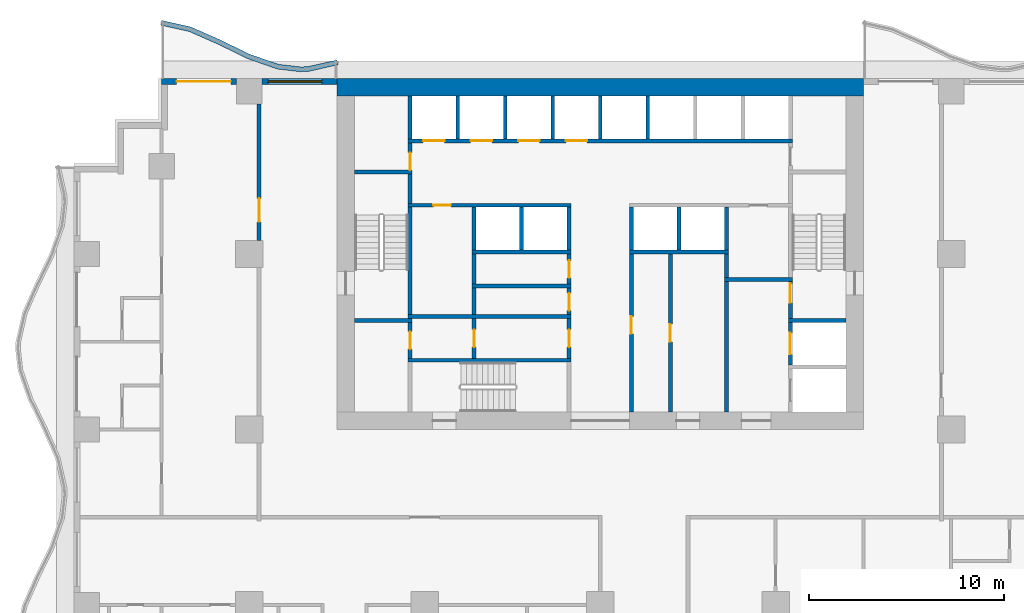
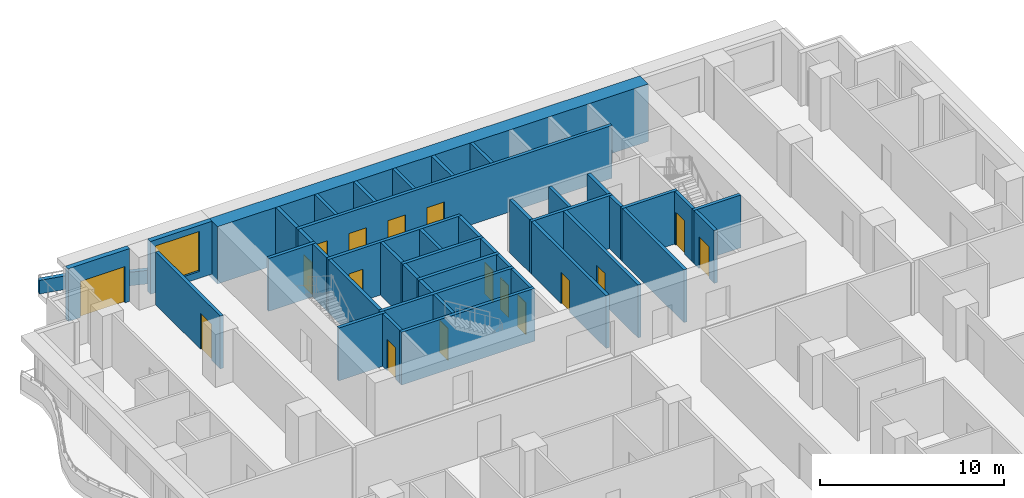
# One storey, part 5 of 13: 44 walls, 17 doors, 1 window, 18 openings.
"""IFC4 building model written with IfcOpenShell, lengths in metres."""

from ifc_helpers import new_model, si_unit, direction, frame, frame_2d, origin, place, context, subcontext, project, spatial, polyline, rectangle, outline, extrude, material, layer, layer_set, type_object, element, fill, save


model = new_model("IFC4")

# Units and contexts
model_context = context("Model", 3, precision=1e-05, world=origin(), true_north=direction((0.0, 1.0)))
body_context = subcontext(model_context, "Body", "Model", "MODEL_VIEW")
ifc_project = project(units=[si_unit("LENGTHUNIT", "METRE"), si_unit("AREAUNIT", "SQUARE_METRE"), si_unit("VOLUMEUNIT", "CUBIC_METRE"), si_unit("PLANEANGLEUNIT", "RADIAN"), si_unit("MASSUNIT", "GRAM", prefix="KILO")], contexts=[model_context])

# Site, building, storey
site_placement = place(None, origin())
site = spatial("IfcSite", under=ifc_project, at=site_placement, CompositionType="ELEMENT")
building_placement = place(site_placement, origin())
building = spatial("IfcBuilding", under=site, at=building_placement, Name="Orbiselva Terraces", CompositionType="ELEMENT")
storey_placement = place(building_placement, frame((0.0, 0.0, 96.0)))
storey = spatial("IfcBuildingStorey", under=building, at=storey_placement, Name="L24", CompositionType="ELEMENT", Elevation=96.0)

# Wall
ifc_material_1 = material(Name="Concrete C80/95", Category="concrete")
ifc_layer_1 = layer(ifc_material_1, 0.9)
ifc_layer_set_1 = layer_set([ifc_layer_1], Name="Concrete C80/95")
wall_type_1 = type_object("IfcWallType", Name="CORE WALL 900 EXTERNAL", PredefinedType="SHEAR", material=ifc_layer_set_1)
wall_1_placement = place(storey_placement, frame((13.5, 22.05, -0.3), z_axis=(0.0, 0.0, 1.0), x_axis=(-1.0, 0.0, 0.0)))
element("IfcWall", 1, at=wall_1_placement, inside=storey, type_object=wall_type_1, Name="Core wall L24 north", PredefinedType="SHEAR", context=body_context, shape_type="SweptSolid", body=[
    extrude(rectangle(XDim=27.0, YDim=0.9, at=frame_2d((13.5, 0.0))), origin(), (0.0, 0.0, 1.0), 3.8),
])

# Wall, opening, door
ifc_material_2 = material(Name="Masonry blockwork", Category="masonry")
ifc_layer_2 = layer(ifc_material_2, 0.2)
ifc_layer_set_2 = layer_set([ifc_layer_2], Name="Masonry blockwork")
wall_type_2 = type_object("IfcWallType", Name="CORE-WALL-PARTITION-200", PredefinedType="PARTITIONING", material=ifc_layer_set_2)
wall_2_placement = place(storey_placement, frame((-9.75, 8.15, 0.0), z_axis=(0.0, 0.0, 1.0), x_axis=(0.0, 1.0, 0.0)))
wall_2 = element("IfcWall", 2, at=wall_2_placement, inside=storey, type_object=wall_type_2, Name="L24 core wall 05", PredefinedType="PARTITIONING", context=body_context, shape_type="SweptSolid", body=[
    extrude(rectangle(XDim=1.85, YDim=0.2, at=frame_2d((0.925, 0.0))), origin(), (0.0, 0.0, 1.0), 3.5),
])
opening_1_placement = place(wall_2_placement, frame((0.475, 0.0, 0.0)))
opening_1 = element("IfcOpeningElement", 3, at=opening_1_placement, cuts=wall_2, Name="Opening DR900", PredefinedType="OPENING", context=body_context, shape_type="SweptSolid", body=[
    extrude(rectangle(XDim=0.9, YDim=2.1, at=frame_2d((0.45, 1.05))), frame((0.0, 0.11, 0.0), z_axis=(0.0, -1.0, 0.0), x_axis=(1.0, 0.0, 0.0)), (0.0, 0.0, 1.0), 0.22),
])
ifc_material_3 = material(Name="Steel fire door", Category="steel")
door_type_1 = type_object("IfcDoorType", Name="ROOM DOOR 900", OperationType="NOTDEFINED", PredefinedType="DOOR", material=ifc_material_3)
door_1_placement = place(opening_1_placement, origin())
door_1 = element("IfcDoor", 4, at=door_1_placement, inside=storey, type_object=door_type_1, Name="L24 ACCESSIBLE WC door", OperationType="SINGLE_SWING_RIGHT", OverallHeight=2.1, OverallWidth=0.9, PredefinedType="DOOR", context=body_context, shape_type="SweptSolid", body=[
    extrude(rectangle(XDim=0.9, YDim=2.1, at=frame_2d((0.45, 1.05))), frame((0.0, 0.025, 0.0), z_axis=(0.0, -1.0, 0.0), x_axis=(1.0, 0.0, 0.0)), (0.0, 0.0, 1.0), 0.05),
])
fill(opening_1, door_1)

wall_3_placement = place(storey_placement, frame((-9.75, 17.8, 0.0), z_axis=(0.0, 0.0, 1.0), x_axis=(0.0, 1.0, 0.0)))
wall_3 = element("IfcWall", 5, at=wall_3_placement, inside=storey, type_object=wall_type_2, Name="L24 core wall 10", PredefinedType="PARTITIONING", context=body_context, shape_type="SweptSolid", body=[
    extrude(rectangle(XDim=1.4, YDim=0.2, at=frame_2d((0.7, 0.0))), origin(), (0.0, 0.0, 1.0), 3.5),
])
opening_2_placement = place(wall_3_placement, origin())
opening_2 = element("IfcOpeningElement", 6, at=opening_2_placement, cuts=wall_3, Name="Opening DR900", PredefinedType="OPENING", context=body_context, shape_type="SweptSolid", body=[
    extrude(rectangle(XDim=0.9, YDim=2.1, at=frame_2d((0.45, 1.05))), frame((0.0, 0.11, 0.0), z_axis=(0.0, -1.0, 0.0), x_axis=(1.0, 0.0, 0.0)), (0.0, 0.0, 1.0), 0.22),
])
door_2_placement = place(opening_2_placement, origin())
door_2 = element("IfcDoor", 7, at=door_2_placement, inside=storey, type_object=door_type_1, Name="L24 COMMS RISER ROOM door", OperationType="SINGLE_SWING_LEFT", OverallHeight=2.1, OverallWidth=0.9, PredefinedType="DOOR", context=body_context, shape_type="SweptSolid", body=[
    extrude(rectangle(XDim=0.9, YDim=2.1, at=frame_2d((0.45, 1.05))), frame((0.0, 0.025, 0.0), z_axis=(0.0, -1.0, 0.0), x_axis=(1.0, 0.0, 0.0)), (0.0, 0.0, 1.0), 0.05),
])
fill(opening_2, door_2)

wall_4_placement = place(storey_placement, frame((-6.475, 8.15, 0.0), z_axis=(0.0, 0.0, 1.0), x_axis=(0.0, 1.0, 0.0)))
wall_4 = element("IfcWall", 8, at=wall_4_placement, inside=storey, type_object=wall_type_2, Name="L24 core wall 14", PredefinedType="PARTITIONING", context=body_context, shape_type="SweptSolid", body=[
    extrude(rectangle(XDim=2.05, YDim=0.2, at=frame_2d((1.025, 0.0))), origin(), (0.0, 0.0, 1.0), 3.5),
])
opening_3_placement = place(wall_4_placement, frame((0.575, 0.0, 0.0)))
opening_3 = element("IfcOpeningElement", 9, at=opening_3_placement, cuts=wall_4, Name="Opening DR900", PredefinedType="OPENING", context=body_context, shape_type="SweptSolid", body=[
    extrude(rectangle(XDim=0.9, YDim=2.1, at=frame_2d((0.45, 1.05))), frame((0.0, 0.11, 0.0), z_axis=(0.0, -1.0, 0.0), x_axis=(1.0, 0.0, 0.0)), (0.0, 0.0, 1.0), 0.22),
])
door_3_placement = place(opening_3_placement, origin())
door_3 = element("IfcDoor", 10, at=door_3_placement, inside=storey, type_object=door_type_1, Name="L24 CLEANERS STORE door", OperationType="SINGLE_SWING_RIGHT", OverallHeight=2.1, OverallWidth=0.9, PredefinedType="DOOR", context=body_context, shape_type="SweptSolid", body=[
    extrude(rectangle(XDim=0.9, YDim=2.1, at=frame_2d((0.45, 1.05))), frame((0.0, 0.025, 0.0), z_axis=(0.0, -1.0, 0.0), x_axis=(1.0, 0.0, 0.0)), (0.0, 0.0, 1.0), 0.05),
])
fill(opening_3, door_3)

# Walls
wall_5_placement = place(storey_placement, frame((-6.475, 10.4, 0.0), z_axis=(0.0, 0.0, 1.0), x_axis=(0.0, 1.0, 0.0)))
element("IfcWall", 11, at=wall_5_placement, inside=storey, type_object=wall_type_2, Name="L24 core wall 15", PredefinedType="PARTITIONING", context=body_context, shape_type="SweptSolid", body=[
    extrude(rectangle(XDim=1.35, YDim=0.2, at=frame_2d((0.675, 0.0))), origin(), (0.0, 0.0, 1.0), 3.5),
])
wall_6_placement = place(storey_placement, frame((-6.475, 11.95, 0.0), z_axis=(0.0, 0.0, 1.0), x_axis=(0.0, 1.0, 0.0)))
element("IfcWall", 12, at=wall_6_placement, inside=storey, type_object=wall_type_2, Name="L24 core wall 17", PredefinedType="PARTITIONING", context=body_context, shape_type="SweptSolid", body=[
    extrude(rectangle(XDim=1.55, YDim=0.2, at=frame_2d((0.775, 0.0))), origin(), (0.0, 0.0, 1.0), 3.5),
])

# Wall, opening, door
wall_7_placement = place(storey_placement, frame((-1.6, 8.15, 0.0), z_axis=(0.0, 0.0, 1.0), x_axis=(0.0, 1.0, 0.0)))
wall_7 = element("IfcWall", 13, at=wall_7_placement, inside=storey, type_object=wall_type_2, Name="L24 core wall 24", PredefinedType="PARTITIONING", context=body_context, shape_type="SweptSolid", body=[
    extrude(rectangle(XDim=2.05, YDim=0.2, at=frame_2d((1.025, 0.0))), origin(), (0.0, 0.0, 1.0), 3.5),
])
opening_4_placement = place(wall_7_placement, frame((0.575, 0.0, 0.0)))
opening_4 = element("IfcOpeningElement", 14, at=opening_4_placement, cuts=wall_7, Name="Opening DR900", PredefinedType="OPENING", context=body_context, shape_type="SweptSolid", body=[
    extrude(rectangle(XDim=0.9, YDim=2.1, at=frame_2d((0.45, 1.05))), frame((0.0, 0.11, 0.0), z_axis=(0.0, -1.0, 0.0), x_axis=(1.0, 0.0, 0.0)), (0.0, 0.0, 1.0), 0.22),
])
door_4_placement = place(opening_4_placement, origin())
door_4 = element("IfcDoor", 15, at=door_4_placement, inside=storey, type_object=door_type_1, Name="L24 COMMS ROOM door", OperationType="SINGLE_SWING_RIGHT", OverallHeight=2.1, OverallWidth=0.9, PredefinedType="DOOR", context=body_context, shape_type="SweptSolid", body=[
    extrude(rectangle(XDim=0.9, YDim=2.1, at=frame_2d((0.45, 1.05))), frame((0.0, 0.025, 0.0), z_axis=(0.0, -1.0, 0.0), x_axis=(1.0, 0.0, 0.0)), (0.0, 0.0, 1.0), 0.05),
])
fill(opening_4, door_4)

wall_8_placement = place(storey_placement, frame((-1.6, 10.4, 0.0), z_axis=(0.0, 0.0, 1.0), x_axis=(0.0, 1.0, 0.0)))
wall_8 = element("IfcWall", 16, at=wall_8_placement, inside=storey, type_object=wall_type_2, Name="L24 core wall 25", PredefinedType="PARTITIONING", context=body_context, shape_type="SweptSolid", body=[
    extrude(rectangle(XDim=1.35, YDim=0.2, at=frame_2d((0.675, 0.0))), origin(), (0.0, 0.0, 1.0), 3.5),
])
opening_5_placement = place(wall_8_placement, frame((0.2, 0.0, 0.0)))
opening_5 = element("IfcOpeningElement", 17, at=opening_5_placement, cuts=wall_8, Name="Opening DR900", PredefinedType="OPENING", context=body_context, shape_type="SweptSolid", body=[
    extrude(rectangle(XDim=0.9, YDim=2.1, at=frame_2d((0.45, 1.05))), frame((0.0, 0.11, 0.0), z_axis=(0.0, -1.0, 0.0), x_axis=(1.0, 0.0, 0.0)), (0.0, 0.0, 1.0), 0.22),
])
door_5_placement = place(opening_5_placement, origin())
door_5 = element("IfcDoor", 18, at=door_5_placement, inside=storey, type_object=door_type_1, Name="L24 BUILDING STORE door", OperationType="SINGLE_SWING_LEFT", OverallHeight=2.1, OverallWidth=0.9, PredefinedType="DOOR", context=body_context, shape_type="SweptSolid", body=[
    extrude(rectangle(XDim=0.9, YDim=2.1, at=frame_2d((0.45, 1.05))), frame((0.0, 0.025, 0.0), z_axis=(0.0, -1.0, 0.0), x_axis=(1.0, 0.0, 0.0)), (0.0, 0.0, 1.0), 0.05),
])
fill(opening_5, door_5)

wall_9_placement = place(storey_placement, frame((-1.6, 11.95, 0.0), z_axis=(0.0, 0.0, 1.0), x_axis=(0.0, 1.0, 0.0)))
wall_9 = element("IfcWall", 19, at=wall_9_placement, inside=storey, type_object=wall_type_2, Name="L24 core wall 26", PredefinedType="PARTITIONING", context=body_context, shape_type="SweptSolid", body=[
    extrude(rectangle(XDim=1.55, YDim=0.2, at=frame_2d((0.775, 0.0))), origin(), (0.0, 0.0, 1.0), 3.5),
])
opening_6_placement = place(wall_9_placement, frame((0.325, 0.0, 0.0)))
opening_6 = element("IfcOpeningElement", 20, at=opening_6_placement, cuts=wall_9, Name="Opening DR900", PredefinedType="OPENING", context=body_context, shape_type="SweptSolid", body=[
    extrude(rectangle(XDim=0.9, YDim=2.1, at=frame_2d((0.45, 1.05))), frame((0.0, 0.11, 0.0), z_axis=(0.0, -1.0, 0.0), x_axis=(1.0, 0.0, 0.0)), (0.0, 0.0, 1.0), 0.22),
])
door_6_placement = place(opening_6_placement, origin())
door_6 = element("IfcDoor", 21, at=door_6_placement, inside=storey, type_object=door_type_1, Name="L24 LINEN STORE door", OperationType="SINGLE_SWING_LEFT", OverallHeight=2.1, OverallWidth=0.9, PredefinedType="DOOR", context=body_context, shape_type="SweptSolid", body=[
    extrude(rectangle(XDim=0.9, YDim=2.1, at=frame_2d((0.45, 1.05))), frame((0.0, 0.025, 0.0), z_axis=(0.0, -1.0, 0.0), x_axis=(1.0, 0.0, 0.0)), (0.0, 0.0, 1.0), 0.05),
])
fill(opening_6, door_6)

wall_10_placement = place(storey_placement, frame((3.6, 13.5, 0.0), z_axis=(0.0, 0.0, 1.0), x_axis=(0.0, -1.0, 0.0)))
wall_10 = element("IfcWall", 22, at=wall_10_placement, inside=storey, type_object=wall_type_2, Name="L24 core wall 34", PredefinedType="PARTITIONING", context=body_context, shape_type="SweptSolid", body=[
    extrude(rectangle(XDim=8.1, YDim=0.2, at=frame_2d((4.05, 0.0))), origin(), (0.0, 0.0, 1.0), 3.5),
])
opening_7_placement = place(wall_10_placement, frame((3.6, 0.0, 0.0)))
opening_7 = element("IfcOpeningElement", 23, at=opening_7_placement, cuts=wall_10, Name="Opening DR900", PredefinedType="OPENING", context=body_context, shape_type="SweptSolid", body=[
    extrude(rectangle(XDim=0.9, YDim=2.1, at=frame_2d((0.45, 1.05))), frame((0.0, 0.11, 0.0), z_axis=(0.0, -1.0, 0.0), x_axis=(1.0, 0.0, 0.0)), (0.0, 0.0, 1.0), 0.22),
])
door_7_placement = place(opening_7_placement, origin())
door_7 = element("IfcDoor", 24, at=door_7_placement, inside=storey, type_object=door_type_1, Name="L24 SERVICE ROOM door", OperationType="SINGLE_SWING_RIGHT", OverallHeight=2.1, OverallWidth=0.9, PredefinedType="DOOR", context=body_context, shape_type="SweptSolid", body=[
    extrude(rectangle(XDim=0.9, YDim=2.1, at=frame_2d((0.45, 1.05))), frame((0.0, 0.025, 0.0), z_axis=(0.0, -1.0, 0.0), x_axis=(1.0, 0.0, 0.0)), (0.0, 0.0, 1.0), 0.05),
])
fill(opening_7, door_7)

# Walls
wall_11_placement = place(storey_placement, frame((6.475, 12.3, 0.0), z_axis=(0.0, 0.0, 1.0), x_axis=(0.0, 1.0, 0.0)))
element("IfcWall", 25, at=wall_11_placement, inside=storey, type_object=wall_type_2, Name="L24 core wall 39", PredefinedType="PARTITIONING", context=body_context, shape_type="SweptSolid", body=[
    extrude(rectangle(XDim=1.2, YDim=0.2, at=frame_2d((0.6, 0.0))), origin(), (0.0, 0.0, 1.0), 3.5),
])
ifc_material_4 = material(Name="Concrete C40/50", Category="concrete")
ifc_layer_3 = layer(ifc_material_4, 0.2)
ifc_layer_set_3 = layer_set([ifc_layer_3], Name="Concrete C40/50")
wall_type_3 = type_object("IfcWallType", Name="CORE-WALL-SHAFT-200", PredefinedType="PARTITIONING", material=ifc_layer_set_3)
for number, where, z_axis, x_axis, name in (
    (26, (-9.75, 19.4, 0.0), (0.0, 0.0, 1.0), (0.0, 1.0, 0.0), "L24 core wall 12"),
    (27, (-7.3125, 19.4, 0.0), (0.0, 0.0, 1.0), (0.0, 1.0, 0.0), "L24 core wall 13"),
    (28, (-6.475, 13.7, 0.0), (0.0, 0.0, 1.0), (0.0, 1.0, 0.0), "L24 core wall 19"),
    (29, (-4.875, 19.4, 0.0), (0.0, 0.0, 1.0), (0.0, 1.0, 0.0), "L24 core wall 20"),
    (30, (-4.0375, 13.7, 0.0), (0.0, 0.0, 1.0), (0.0, 1.0, 0.0), "L24 core wall 21"),
    (31, (-2.4375, 19.4, 0.0), (0.0, 0.0, 1.0), (0.0, 1.0, 0.0), "L24 core wall 22"),
    (32, (-1.6, 13.7, 0.0), (0.0, 0.0, 1.0), (0.0, 1.0, 0.0), "L24 core wall 27"),
    (33, (0.0, 19.4, 0.0), (0.0, 0.0, 1.0), (0.0, 1.0, 0.0), "L24 core wall 28"),
    (34, (1.6, 13.7, 0.0), (0.0, 0.0, 1.0), (0.0, 1.0, 0.0), "L24 core wall 31"),
    (35, (2.4375, 19.4, 0.0), (0.0, 0.0, 1.0), (0.0, 1.0, 0.0), "L24 core wall 33"),
    (36, (4.0375, 13.7, 0.0), (0.0, 0.0, 1.0), (0.0, 1.0, 0.0), "L24 core wall 35"),
    (37, (6.475, 13.7, 0.0), (0.0, 0.0, 1.0), (0.0, 1.0, 0.0), "L24 core wall 40"),
):
    element("IfcWall", number, at=place(storey_placement, frame(where, z_axis=z_axis, x_axis=x_axis)), inside=storey, type_object=wall_type_3, Name=name, PredefinedType="PARTITIONING", context=body_context, shape_type="SweptSolid", body=[
        extrude(rectangle(XDim=2.2, YDim=0.2, at=frame_2d((1.1, 0.0))), origin(), (0.0, 0.0, 1.0), 3.5),
    ])
ifc_material_5 = material(Name="Concrete C60/75", Category="concrete")
ifc_layer_4 = layer(ifc_material_5, 0.2)
ifc_layer_set_4 = layer_set([ifc_layer_4], Name="Concrete C60/75")
wall_type_4 = type_object("IfcWallType", Name="CORE-WALL-SHEAR-200", PredefinedType="SHEAR", material=ifc_layer_set_4)
for number, where, z_axis, x_axis, name in (
    (38, (-12.6, 10.1, 0.0), (0.0, 0.0, 1.0), (1.0, 0.0, 0.0), "L24 core wall 01"),
    (39, (-12.6, 17.7, 0.0), (0.0, 0.0, 1.0), (1.0, 0.0, 0.0), "L24 core wall 02"),
):
    element("IfcWall", number, at=place(storey_placement, frame(where, z_axis=z_axis, x_axis=x_axis)), inside=storey, type_object=wall_type_4, Name=name, PredefinedType="SHEAR", context=body_context, shape_type="SweptSolid", body=[
        extrude(rectangle(XDim=2.95, YDim=0.2, at=frame_2d((1.475, 0.0))), origin(), (0.0, 0.0, 1.0), 3.5),
    ])
for number, where, z_axis, x_axis, name in (
    (40, (-9.85, 8.05, 0.0), (0.0, 0.0, 1.0), (1.0, 0.0, 0.0), "L24 core wall 04"),
    (41, (-9.85, 10.3, 0.0), (0.0, 0.0, 1.0), (1.0, 0.0, 0.0), "L24 core wall 06"),
):
    element("IfcWall", number, at=place(storey_placement, frame(where, z_axis=z_axis, x_axis=x_axis)), inside=storey, type_object=wall_type_4, Name=name, PredefinedType="SHEAR", context=body_context, shape_type="SweptSolid", body=[
        extrude(rectangle(XDim=8.35, YDim=0.2, at=frame_2d((4.175, 0.0))), origin(), (0.0, 0.0, 1.0), 3.5),
    ])
wall_12_placement = place(storey_placement, frame((-9.75, 10.4, 0.0), z_axis=(0.0, 0.0, 1.0), x_axis=(0.0, 1.0, 0.0)))
element("IfcWall", 42, at=wall_12_placement, inside=storey, type_object=wall_type_4, Name="L24 core wall 07", PredefinedType="SHEAR", context=body_context, shape_type="SweptSolid", body=[
    extrude(rectangle(XDim=5.5, YDim=0.2, at=frame_2d((2.75, 0.0))), origin(), (0.0, 0.0, 1.0), 3.5),
])

# Wall, opening, door
wall_13_placement = place(storey_placement, frame((-1.5, 16.0, 0.0), z_axis=(0.0, 0.0, 1.0), x_axis=(-1.0, 0.0, 0.0)))
wall_13 = element("IfcWall", 43, at=wall_13_placement, inside=storey, type_object=wall_type_4, Name="L24 core wall 08", PredefinedType="SHEAR", context=body_context, shape_type="SweptSolid", body=[
    extrude(rectangle(XDim=8.35, YDim=0.2, at=frame_2d((4.175, 0.0))), origin(), (0.0, 0.0, 1.0), 3.5),
])
opening_8_placement = place(wall_13_placement, frame((6.1625, 0.0, 0.0)))
opening_8 = element("IfcOpeningElement", 44, at=opening_8_placement, cuts=wall_13, Name="Opening DR900", PredefinedType="OPENING", context=body_context, shape_type="SweptSolid", body=[
    extrude(rectangle(XDim=0.9, YDim=2.1, at=frame_2d((0.45, 1.05))), frame((0.0, 0.11, 0.0), z_axis=(0.0, -1.0, 0.0), x_axis=(1.0, 0.0, 0.0)), (0.0, 0.0, 1.0), 0.22),
])
door_8_placement = place(opening_8_placement, origin())
door_8 = element("IfcDoor", 45, at=door_8_placement, inside=storey, type_object=door_type_1, Name="L24 GUEST PANTRY door", OperationType="SINGLE_SWING_RIGHT", OverallHeight=2.1, OverallWidth=0.9, PredefinedType="DOOR", context=body_context, shape_type="SweptSolid", body=[
    extrude(rectangle(XDim=0.9, YDim=2.1, at=frame_2d((0.45, 1.05))), frame((0.0, 0.025, 0.0), z_axis=(0.0, -1.0, 0.0), x_axis=(1.0, 0.0, 0.0)), (0.0, 0.0, 1.0), 0.05),
])
fill(opening_8, door_8)

# Wall
wall_14_placement = place(storey_placement, frame((-9.75, 16.1, 0.0), z_axis=(0.0, 0.0, 1.0), x_axis=(0.0, 1.0, 0.0)))
element("IfcWall", 46, at=wall_14_placement, inside=storey, type_object=wall_type_4, Name="L24 core wall 09", PredefinedType="SHEAR", context=body_context, shape_type="SweptSolid", body=[
    extrude(rectangle(XDim=1.5, YDim=0.2, at=frame_2d((0.75, 0.0))), origin(), (0.0, 0.0, 1.0), 3.5),
])

# Wall, openings, doors
wall_15_placement = place(storey_placement, frame((-9.85, 19.3, 0.0), z_axis=(0.0, 0.0, 1.0), x_axis=(1.0, 0.0, 0.0)))
wall_15 = element("IfcWall", 47, at=wall_15_placement, inside=storey, type_object=wall_type_4, Name="L24 core wall 11", PredefinedType="SHEAR", context=body_context, shape_type="SweptSolid", body=[
    extrude(rectangle(XDim=19.7, YDim=0.2, at=frame_2d((9.85, 0.0))), origin(), (0.0, 0.0, 1.0), 3.5),
])
opening_9_placement = place(wall_15_placement, frame((0.76875, 0.0, 0.0)))
opening_9 = element("IfcOpeningElement", 48, at=opening_9_placement, cuts=wall_15, Name="Opening LD-LR1", PredefinedType="OPENING", context=body_context, shape_type="SweptSolid", body=[
    extrude(rectangle(XDim=1.1, YDim=2.1, at=frame_2d((0.55, 1.05))), frame((0.0, 0.11, 0.0), z_axis=(0.0, -1.0, 0.0), x_axis=(1.0, 0.0, 0.0)), (0.0, 0.0, 1.0), 0.22),
])
opening_10_placement = place(wall_15_placement, frame((3.20625, 0.0, 0.0)))
opening_10 = element("IfcOpeningElement", 49, at=opening_10_placement, cuts=wall_15, Name="Opening LD-LR2", PredefinedType="OPENING", context=body_context, shape_type="SweptSolid", body=[
    extrude(rectangle(XDim=1.1, YDim=2.1, at=frame_2d((0.55, 1.05))), frame((0.0, 0.11, 0.0), z_axis=(0.0, -1.0, 0.0), x_axis=(1.0, 0.0, 0.0)), (0.0, 0.0, 1.0), 0.22),
])
opening_11_placement = place(wall_15_placement, frame((5.64375, 0.0, 0.0)))
opening_11 = element("IfcOpeningElement", 50, at=opening_11_placement, cuts=wall_15, Name="Opening LD-LR3", PredefinedType="OPENING", context=body_context, shape_type="SweptSolid", body=[
    extrude(rectangle(XDim=1.1, YDim=2.1, at=frame_2d((0.55, 1.05))), frame((0.0, 0.11, 0.0), z_axis=(0.0, -1.0, 0.0), x_axis=(1.0, 0.0, 0.0)), (0.0, 0.0, 1.0), 0.22),
])
opening_12_placement = place(wall_15_placement, frame((8.08125, 0.0, 0.0)))
opening_12 = element("IfcOpeningElement", 51, at=opening_12_placement, cuts=wall_15, Name="Opening LD-LR4", PredefinedType="OPENING", context=body_context, shape_type="SweptSolid", body=[
    extrude(rectangle(XDim=1.1, YDim=2.1, at=frame_2d((0.55, 1.05))), frame((0.0, 0.11, 0.0), z_axis=(0.0, -1.0, 0.0), x_axis=(1.0, 0.0, 0.0)), (0.0, 0.0, 1.0), 0.22),
])
ifc_material_6 = material(Name="Stainless steel landing door", Category="steel")
door_type_2 = type_object("IfcDoorType", Name="LANDING DOOR 1100", OperationType="SLIDING_TO_LEFT", PredefinedType="DOOR", material=ifc_material_6)
door_9_placement = place(opening_9_placement, origin())
door_9 = element("IfcDoor", 52, at=door_9_placement, inside=storey, type_object=door_type_2, Name="L24 landing door LR1", OperationType="SLIDING_TO_LEFT", OverallHeight=2.1, OverallWidth=1.1, PredefinedType="DOOR", context=body_context, shape_type="SweptSolid", body=[
    extrude(rectangle(XDim=1.1, YDim=2.1, at=frame_2d((0.55, 1.05))), frame((0.0, 0.025, 0.0), z_axis=(0.0, -1.0, 0.0), x_axis=(1.0, 0.0, 0.0)), (0.0, 0.0, 1.0), 0.05),
])
fill(opening_9, door_9)
door_10_placement = place(opening_10_placement, origin())
door_10 = element("IfcDoor", 53, at=door_10_placement, inside=storey, type_object=door_type_2, Name="L24 landing door LR2", OperationType="SLIDING_TO_LEFT", OverallHeight=2.1, OverallWidth=1.1, PredefinedType="DOOR", context=body_context, shape_type="SweptSolid", body=[
    extrude(rectangle(XDim=1.1, YDim=2.1, at=frame_2d((0.55, 1.05))), frame((0.0, 0.025, 0.0), z_axis=(0.0, -1.0, 0.0), x_axis=(1.0, 0.0, 0.0)), (0.0, 0.0, 1.0), 0.05),
])
fill(opening_10, door_10)
door_11_placement = place(opening_11_placement, origin())
door_11 = element("IfcDoor", 54, at=door_11_placement, inside=storey, type_object=door_type_2, Name="L24 landing door LR3", OperationType="SLIDING_TO_LEFT", OverallHeight=2.1, OverallWidth=1.1, PredefinedType="DOOR", context=body_context, shape_type="SweptSolid", body=[
    extrude(rectangle(XDim=1.1, YDim=2.1, at=frame_2d((0.55, 1.05))), frame((0.0, 0.025, 0.0), z_axis=(0.0, -1.0, 0.0), x_axis=(1.0, 0.0, 0.0)), (0.0, 0.0, 1.0), 0.05),
])
fill(opening_11, door_11)
door_12_placement = place(opening_12_placement, origin())
door_12 = element("IfcDoor", 55, at=door_12_placement, inside=storey, type_object=door_type_2, Name="L24 landing door LR4", OperationType="SLIDING_TO_LEFT", OverallHeight=2.1, OverallWidth=1.1, PredefinedType="DOOR", context=body_context, shape_type="SweptSolid", body=[
    extrude(rectangle(XDim=1.1, YDim=2.1, at=frame_2d((0.55, 1.05))), frame((0.0, 0.025, 0.0), z_axis=(0.0, -1.0, 0.0), x_axis=(1.0, 0.0, 0.0)), (0.0, 0.0, 1.0), 0.05),
])
fill(opening_12, door_12)

# Walls
for number, where, z_axis, x_axis, name in (
    (56, (-6.575, 11.85, 0.0), (0.0, 0.0, 1.0), (1.0, 0.0, 0.0), "L24 core wall 16"),
    (57, (-6.575, 13.6, 0.0), (0.0, 0.0, 1.0), (1.0, 0.0, 0.0), "L24 core wall 18"),
):
    element("IfcWall", number, at=place(storey_placement, frame(where, z_axis=z_axis, x_axis=x_axis)), inside=storey, type_object=wall_type_4, Name=name, PredefinedType="SHEAR", context=body_context, shape_type="SweptSolid", body=[
        extrude(rectangle(XDim=5.075, YDim=0.2, at=frame_2d((2.5375, 0.0))), origin(), (0.0, 0.0, 1.0), 3.5),
    ])

# Wall, opening, door
wall_16_placement = place(storey_placement, frame((1.6, 13.5, 0.0), z_axis=(0.0, 0.0, 1.0), x_axis=(0.0, -1.0, 0.0)))
wall_16 = element("IfcWall", 58, at=wall_16_placement, inside=storey, type_object=wall_type_4, Name="L24 core wall 29", PredefinedType="SHEAR", context=body_context, shape_type="SweptSolid", body=[
    extrude(rectangle(XDim=8.1, YDim=0.2, at=frame_2d((4.05, 0.0))), origin(), (0.0, 0.0, 1.0), 3.5),
])
opening_13_placement = place(wall_16_placement, frame((3.2, 0.0, 0.0)))
opening_13 = element("IfcOpeningElement", 59, at=opening_13_placement, cuts=wall_16, Name="Opening DR900", PredefinedType="OPENING", context=body_context, shape_type="SweptSolid", body=[
    extrude(rectangle(XDim=0.9, YDim=2.1, at=frame_2d((0.45, 1.05))), frame((0.0, 0.11, 0.0), z_axis=(0.0, -1.0, 0.0), x_axis=(1.0, 0.0, 0.0)), (0.0, 0.0, 1.0), 0.22),
])
door_13_placement = place(opening_13_placement, origin())
door_13 = element("IfcDoor", 60, at=door_13_placement, inside=storey, type_object=door_type_1, Name="L24 COMMS ROOM door", OperationType="SINGLE_SWING_LEFT", OverallHeight=2.1, OverallWidth=0.9, PredefinedType="DOOR", context=body_context, shape_type="SweptSolid", body=[
    extrude(rectangle(XDim=0.9, YDim=2.1, at=frame_2d((0.45, 1.05))), frame((0.0, 0.025, 0.0), z_axis=(0.0, -1.0, 0.0), x_axis=(1.0, 0.0, 0.0)), (0.0, 0.0, 1.0), 0.05),
])
fill(opening_13, door_13)

# Walls
wall_17_placement = place(storey_placement, frame((1.5, 13.6, 0.0), z_axis=(0.0, 0.0, 1.0), x_axis=(1.0, 0.0, 0.0)))
element("IfcWall", 61, at=wall_17_placement, inside=storey, type_object=wall_type_4, Name="L24 core wall 30", PredefinedType="SHEAR", context=body_context, shape_type="SweptSolid", body=[
    extrude(rectangle(XDim=5.075, YDim=0.2, at=frame_2d((2.5375, 0.0))), origin(), (0.0, 0.0, 1.0), 3.5),
])
wall_18_placement = place(storey_placement, frame((6.475, 5.4, 0.0), z_axis=(0.0, 0.0, 1.0), x_axis=(0.0, 1.0, 0.0)))
element("IfcWall", 62, at=wall_18_placement, inside=storey, type_object=wall_type_4, Name="L24 core wall 37", PredefinedType="SHEAR", context=body_context, shape_type="SweptSolid", body=[
    extrude(rectangle(XDim=6.7, YDim=0.2, at=frame_2d((3.35, 0.0))), origin(), (0.0, 0.0, 1.0), 3.5),
])
wall_19_placement = place(storey_placement, frame((6.375, 12.2, 0.0), z_axis=(0.0, 0.0, 1.0), x_axis=(1.0, 0.0, 0.0)))
element("IfcWall", 63, at=wall_19_placement, inside=storey, type_object=wall_type_4, Name="L24 core wall 38", PredefinedType="SHEAR", context=body_context, shape_type="SweptSolid", body=[
    extrude(rectangle(XDim=3.475, YDim=0.2, at=frame_2d((1.7375, 0.0))), origin(), (0.0, 0.0, 1.0), 3.5),
])

# Wall, opening, door
wall_20_placement = place(storey_placement, frame((9.75, 7.8, 0.0), z_axis=(0.0, 0.0, 1.0), x_axis=(0.0, 1.0, 0.0)))
wall_20 = element("IfcWall", 64, at=wall_20_placement, inside=storey, type_object=wall_type_4, Name="L24 core wall 44", PredefinedType="SHEAR", context=body_context, shape_type="SweptSolid", body=[
    extrude(rectangle(XDim=2.2, YDim=0.2, at=frame_2d((1.1, 0.0))), origin(), (0.0, 0.0, 1.0), 3.5),
])
opening_14_placement = place(wall_20_placement, frame((0.55, 0.0, 0.0)))
opening_14 = element("IfcOpeningElement", 65, at=opening_14_placement, cuts=wall_20, Name="Opening LD-FF2", PredefinedType="OPENING", context=body_context, shape_type="SweptSolid", body=[
    extrude(rectangle(XDim=1.1, YDim=2.1, at=frame_2d((0.55, 1.05))), frame((0.0, 0.11, 0.0), z_axis=(0.0, -1.0, 0.0), x_axis=(1.0, 0.0, 0.0)), (0.0, 0.0, 1.0), 0.22),
])
door_14_placement = place(opening_14_placement, origin())
door_14 = element("IfcDoor", 66, at=door_14_placement, inside=storey, type_object=door_type_2, Name="L24 landing door FF2", OperationType="SLIDING_TO_RIGHT", OverallHeight=2.1, OverallWidth=1.1, PredefinedType="DOOR", context=body_context, shape_type="SweptSolid", body=[
    extrude(rectangle(XDim=1.1, YDim=2.1, at=frame_2d((0.55, 1.05))), frame((0.0, 0.025, 0.0), z_axis=(0.0, -1.0, 0.0), x_axis=(1.0, 0.0, 0.0)), (0.0, 0.0, 1.0), 0.05),
])
fill(opening_14, door_14)

# Wall
wall_21_placement = place(storey_placement, frame((9.65, 10.1, 0.0), z_axis=(0.0, 0.0, 1.0), x_axis=(1.0, 0.0, 0.0)))
element("IfcWall", 67, at=wall_21_placement, inside=storey, type_object=wall_type_4, Name="L24 core wall 45", PredefinedType="SHEAR", context=body_context, shape_type="SweptSolid", body=[
    extrude(rectangle(XDim=2.95, YDim=0.2, at=frame_2d((1.475, 0.0))), origin(), (0.0, 0.0, 1.0), 3.5),
])

# Wall, opening, door
wall_22_placement = place(storey_placement, frame((9.75, 12.1, 0.0), z_axis=(0.0, 0.0, 1.0), x_axis=(0.0, -1.0, 0.0)))
wall_22 = element("IfcWall", 68, at=wall_22_placement, inside=storey, type_object=wall_type_4, Name="L24 core wall 46", PredefinedType="SHEAR", context=body_context, shape_type="SweptSolid", body=[
    extrude(rectangle(XDim=1.9, YDim=0.2, at=frame_2d((0.95, 0.0))), origin(), (0.0, 0.0, 1.0), 3.5),
])
opening_15_placement = place(wall_22_placement, frame((0.1, 0.0, 0.0)))
opening_15 = element("IfcOpeningElement", 69, at=opening_15_placement, cuts=wall_22, Name="Opening DS1000", PredefinedType="OPENING", context=body_context, shape_type="SweptSolid", body=[
    extrude(rectangle(XDim=1.0, YDim=2.2, at=frame_2d((0.5, 1.1))), frame((0.0, 0.11, 0.0), z_axis=(0.0, -1.0, 0.0), x_axis=(1.0, 0.0, 0.0)), (0.0, 0.0, 1.0), 0.22),
])
door_type_3 = type_object("IfcDoorType", Name="STAIR DOOR 1000", OperationType="NOTDEFINED", PredefinedType="DOOR", material=ifc_material_3)
door_15_placement = place(opening_15_placement, origin())
door_15 = element("IfcDoor", 70, at=door_15_placement, inside=storey, type_object=door_type_3, Name="L24 FIRE-FIGHTING LOBBY TO EXIT STAIR S2 door", OperationType="SINGLE_SWING_LEFT", OverallHeight=2.2, OverallWidth=1.0, PredefinedType="DOOR", context=body_context, shape_type="SweptSolid", body=[
    extrude(rectangle(XDim=1.0, YDim=2.2, at=frame_2d((0.5, 1.1))), frame((0.0, 0.025, 0.0), z_axis=(0.0, -1.0, 0.0), x_axis=(1.0, 0.0, 0.0)), (0.0, 0.0, 1.0), 0.05),
])
fill(opening_15, door_15)

# Wall
ifc_layer_5 = layer(ifc_material_4, 0.25)
ifc_layer_set_5 = layer_set([ifc_layer_5], Name="Concrete C40/50")
wall_type_5 = type_object("IfcWallType", Name="ENV-PLANTER-250x900", PredefinedType="USERDEFINED", material=ifc_layer_set_5)
wall_23_placement = place(storey_placement, origin())
element("IfcWall", 71, at=wall_23_placement, inside=storey, type_object=wall_type_5, Name="Balcony planter L24 NW", ObjectType="PLANTER", PredefinedType="USERDEFINED", context=body_context, shape_type="SweptSolid", body=[
    extrude(outline(polyline([(-13.5, 23.451472), (-15.0, 23.114774), (-15.375, 23.1), (-16.5, 23.230792), (-18.0, 23.755211), (-19.5, 24.487721), (-21.0, 25.148528), (-22.5, 25.485226), (-22.554754, 25.241296), (-21.078508, 24.90993), (-19.605286, 24.260919), (-18.09644, 23.524089), (-16.556371, 22.985662), (-15.384572, 22.849429), (-14.967435, 22.865863), (-13.445246, 23.207542), (-13.5, 23.451472)])), origin(), (0.0, 0.0, 1.0), 0.9),
])

# Wall, opening, window
ifc_material_7 = material(Name="Terracotta cladding on masonry backing", Category="masonry")
ifc_layer_6 = layer(ifc_material_7, 0.3)
ifc_layer_set_6 = layer_set([ifc_layer_6], Name="Terracotta cladding on masonry backing")
wall_type_6 = type_object("IfcWallType", Name="ENV-WALL-TERRACOTTA-300", PredefinedType="SOLIDWALL", material=ifc_layer_set_6)
wall_24_placement = place(storey_placement, frame((-17.35, 22.35, 0.0), z_axis=(0.0, 0.0, 1.0), x_axis=(1.0, 0.0, 0.0)))
wall_24 = element("IfcWall", 72, at=wall_24_placement, inside=storey, type_object=wall_type_6, Name="Facade wall L24 NW", PredefinedType="SOLIDWALL", context=body_context, shape_type="SweptSolid", body=[
    extrude(rectangle(XDim=3.85, YDim=0.3, at=frame_2d((1.925, 0.0))), origin(), (0.0, 0.0, 1.0), 3.5),
])
opening_16_placement = place(wall_24_placement, frame((0.3, 0.0, 0.45)))
opening_16 = element("IfcOpeningElement", 73, at=opening_16_placement, cuts=wall_24, Name="Opening WN6", PredefinedType="OPENING", context=body_context, shape_type="SweptSolid", body=[
    extrude(rectangle(XDim=2.775, YDim=2.65, at=frame_2d((1.3875, 1.325))), frame((0.0, 0.16, 0.0), z_axis=(0.0, -1.0, 0.0), x_axis=(1.0, 0.0, 0.0)), (0.0, 0.0, 1.0), 0.32),
])
ifc_material_8 = material(Name="Clear low-e glazing in aluminium frame", Category="aluminium")
window_type = type_object("IfcWindowType", Name="WINDOW 2775 X 2650 S450", PartitioningType="TRIPLE_PANEL_VERTICAL", PredefinedType="WINDOW", material=ifc_material_8)
window_placement = place(opening_16_placement, origin())
window = element("IfcWindow", 74, at=window_placement, inside=storey, type_object=window_type, Name="Window L24 NW", OverallHeight=2.65, OverallWidth=2.775, PartitioningType="SINGLE_PANEL", PredefinedType="WINDOW", context=body_context, shape_type="SweptSolid", body=[
    extrude(rectangle(XDim=2.775, YDim=2.65, at=frame_2d((1.3875, 1.325))), frame((0.0, 0.03, 0.0), z_axis=(0.0, -1.0, 0.0), x_axis=(1.0, 0.0, 0.0)), (0.0, 0.0, 1.0), 0.06),
])
fill(opening_16, window)

# Wall, opening, door
wall_25_placement = place(storey_placement, frame((-22.5, 22.35, 0.0), z_axis=(0.0, 0.0, 1.0), x_axis=(1.0, 0.0, 0.0)))
wall_25 = element("IfcWall", 75, at=wall_25_placement, inside=storey, type_object=wall_type_6, Name="Facade wall L24 NW", PredefinedType="SOLIDWALL", context=body_context, shape_type="SweptSolid", body=[
    extrude(rectangle(XDim=3.85, YDim=0.3, at=frame_2d((1.925, 0.0))), origin(), (0.0, 0.0, 1.0), 3.5),
])
opening_17_placement = place(wall_25_placement, frame((0.775, 0.0, 0.0)))
opening_17 = element("IfcOpeningElement", 76, at=opening_17_placement, cuts=wall_25, Name="Opening Z2-C-E14", PredefinedType="OPENING", context=body_context, shape_type="SweptSolid", body=[
    extrude(rectangle(XDim=2.775, YDim=2.4, at=frame_2d((1.3875, 1.2))), frame((0.0, 0.16, 0.0), z_axis=(0.0, -1.0, 0.0), x_axis=(1.0, 0.0, 0.0)), (0.0, 0.0, 1.0), 0.32),
])
door_type_4 = type_object("IfcDoorType", Name="BALCONY DOOR 2775 X 2400", OperationType="DOUBLE_DOOR_SLIDING", PredefinedType="DOOR", material=ifc_material_8)
door_16_placement = place(opening_17_placement, origin())
door_16 = element("IfcDoor", 77, at=door_16_placement, inside=storey, type_object=door_type_4, Name="Z2-C-E14", OperationType="SINGLE_SWING_LEFT", OverallHeight=2.4, OverallWidth=2.775, PredefinedType="DOOR", context=body_context, shape_type="SweptSolid", body=[
    extrude(rectangle(XDim=2.775, YDim=2.4, at=frame_2d((1.3875, 1.2))), frame((0.0, 0.025, 0.0), z_axis=(0.0, -1.0, 0.0), x_axis=(1.0, 0.0, 0.0)), (0.0, 0.0, 1.0), 0.05),
])
fill(opening_17, door_16)

ifc_material_9 = material(Name="Plasterboard on steel stud partition", Category="steel")
ifc_layer_7 = layer(ifc_material_9, 0.2)
ifc_layer_set_7 = layer_set([ifc_layer_7], Name="Plasterboard on steel stud partition")
wall_type_7 = type_object("IfcWallType", Name="UNIT-ENTRANCE-WALL-200", PredefinedType="PARTITIONING", material=ifc_layer_set_7)
wall_26_placement = place(storey_placement, frame((-17.5, 14.2, 0.0), z_axis=(0.0, 0.0, 1.0), x_axis=(0.0, 1.0, 0.0)))
wall_26 = element("IfcWall", 78, at=wall_26_placement, inside=storey, type_object=wall_type_7, Name="PARTITION L24-046", PredefinedType="PARTITIONING", context=body_context, shape_type="SweptSolid", body=[
    extrude(rectangle(XDim=7.0, YDim=0.2, at=frame_2d((3.5, 0.0))), origin(), (0.0, 0.0, 1.0), 3.5),
])
opening_18_placement = place(wall_26_placement, frame((0.95, 0.0, 0.0)))
opening_18 = element("IfcOpeningElement", 79, at=opening_18_placement, cuts=wall_26, Name="Opening Z2-C-01", PredefinedType="OPENING", context=body_context, shape_type="SweptSolid", body=[
    extrude(rectangle(XDim=1.2, YDim=2.4, at=frame_2d((0.6, 1.2))), frame((0.0, 0.11, 0.0), z_axis=(0.0, -1.0, 0.0), x_axis=(1.0, 0.0, 0.0)), (0.0, 0.0, 1.0), 0.22),
])
ifc_material_10 = material(Name="Painted timber door leaf", Category="wood")
door_type_5 = type_object("IfcDoorType", Name="ENTRANCE DOOR 1200", OperationType="NOTDEFINED", PredefinedType="DOOR", material=ifc_material_10)
door_17_placement = place(opening_18_placement, origin())
door_17 = element("IfcDoor", 80, at=door_17_placement, inside=storey, type_object=door_type_5, Name="Z2-C-01", OperationType="SINGLE_SWING_LEFT", OverallHeight=2.4, OverallWidth=1.2, PredefinedType="DOOR", context=body_context, shape_type="SweptSolid", body=[
    extrude(rectangle(XDim=1.2, YDim=2.4, at=frame_2d((0.6, 1.2))), frame((0.0, 0.025, 0.0), z_axis=(0.0, -1.0, 0.0), x_axis=(1.0, 0.0, 0.0)), (0.0, 0.0, 1.0), 0.05),
])
fill(opening_18, door_17)

save(model, "model.ifc")
